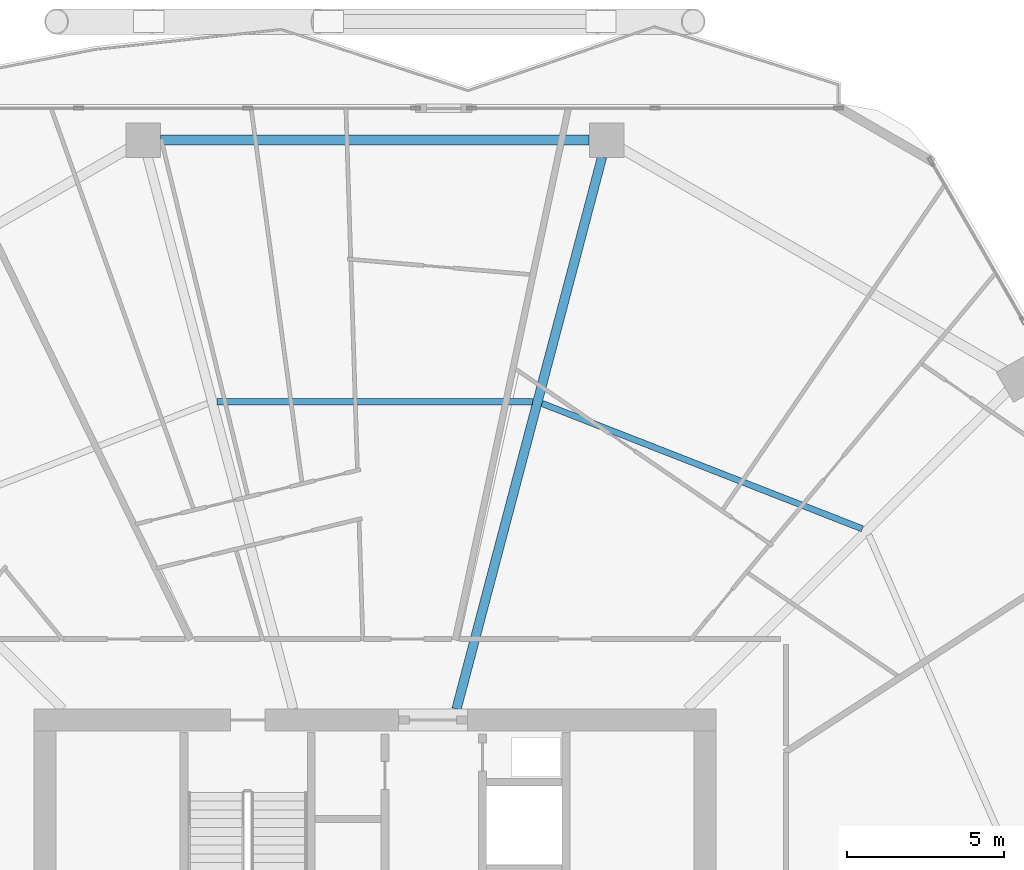
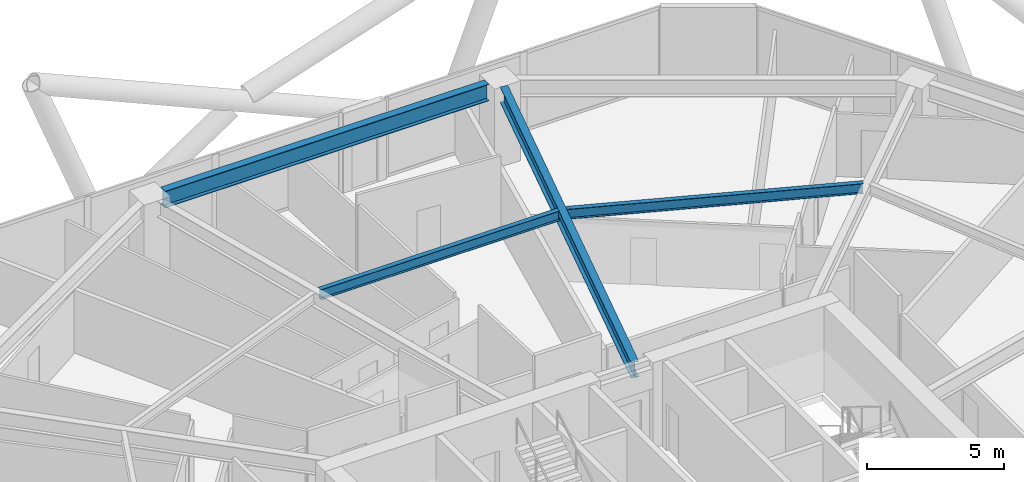
# One storey, part 21 of 35: 4 beams.
"""IFC4 building model written with IfcOpenShell, lengths in metres."""

from ifc_helpers import new_model, si_unit, direction, frame, origin, origin_2d, place, context, subcontext, project, spatial, i_section, extrude, material, material_profile, profile_set, type_object, element, save


model = new_model("IFC4")

# Units and contexts
model_context = context("Model", 3, precision=1e-05, world=origin(), true_north=direction((0.0, 1.0)))
body_context = subcontext(model_context, "Body", "Model", "MODEL_VIEW")
ifc_project = project(units=[si_unit("LENGTHUNIT", "METRE"), si_unit("AREAUNIT", "SQUARE_METRE"), si_unit("VOLUMEUNIT", "CUBIC_METRE"), si_unit("PLANEANGLEUNIT", "RADIAN"), si_unit("MASSUNIT", "GRAM", prefix="KILO")], contexts=[model_context])

# Site, building, storey
site_placement = place(None, origin())
site = spatial("IfcSite", under=ifc_project, at=site_placement, CompositionType="ELEMENT")
building_placement = place(site_placement, origin())
building = spatial("IfcBuilding", under=site, at=building_placement, Name="Zuhravey Tower", CompositionType="ELEMENT")
storey_placement = place(building_placement, frame((0.0, 0.0, 115.199951171875)))
storey = spatial("IfcBuildingStorey", under=building, at=storey_placement, Name="L28", CompositionType="ELEMENT", Elevation=115.199951171875)

# Beams
ifc_material = material(Name="Steel SM355", Category="steel")
ifc_material_profile_1 = material_profile(ifc_material, i_section(OverallWidth=0.320068359375, OverallDepth=0.75, WebThickness=0.013916015625, FlangeThickness=0.02490234375, at=origin_2d()), Name="H-750x320x14x25")
ifc_profile_set_1 = profile_set([ifc_material_profile_1], Name="Steel SM355")
beam_type_1 = type_object("IfcBeamType", Name="Perimeter Ring Beam H750x320", PredefinedType="BEAM", material=ifc_profile_set_1)
beam_1_placement = place(storey_placement, frame((42.81689453125, 59.948486328125, 3.175048828125), z_axis=(-1.0, 0.0, 0.0), x_axis=(0.0, -1.0, 0.0)))
element("IfcBeam", 1, at=beam_1_placement, inside=storey, type_object=beam_type_1, Name="L28 PB1 BM-L28-PB-03", PredefinedType="BEAM", context=body_context, shape_type="SweptSolid", body=[
    extrude(i_section(OverallWidth=0.320068359375, OverallDepth=0.75, WebThickness=0.013916015625, FlangeThickness=0.02490234375, at=origin_2d()), origin(), (0.0, 0.0, 1.0), 13.6337890625),
])
ifc_material_profile_2 = material_profile(ifc_material, i_section(OverallWidth=0.300048828125, OverallDepth=0.699951171875, WebThickness=0.012939453125, FlangeThickness=0.02392578125, at=origin_2d()), Name="H-700x300x13x24")
ifc_profile_set_2 = profile_set([ifc_material_profile_2], Name="Steel SM355")
beam_type_2 = type_object("IfcBeamType", Name="Radial Primary Girder H700x300", PredefinedType="BEAM", material=ifc_profile_set_2)
beam_2_placement = place(storey_placement, frame((38.59814453125, 41.85302734375, 3.199951171875), z_axis=(0.25498755891, 0.966944333869, 0.0), x_axis=(-0.966944333869, 0.25498755891, 0.0)))
element("IfcBeam", 2, at=beam_2_placement, inside=storey, type_object=beam_type_2, Name="L28 RG1 BM-L28-RAD-03", PredefinedType="BEAM", context=body_context, shape_type="SweptSolid", body=[
    extrude(i_section(OverallWidth=0.300048828125, OverallDepth=0.699951171875, WebThickness=0.012939453125, FlangeThickness=0.02392578125, at=origin_2d()), origin(), (0.0, 0.0, 1.0), 18.1611328125),
])
ifc_material_profile_3 = material_profile(ifc_material, i_section(OverallWidth=0.199951171875, OverallDepth=0.449951171875, WebThickness=0.009033203125, FlangeThickness=0.013916015625, at=origin_2d()), Name="H-450x200x9x14")
ifc_profile_set_3 = profile_set([ifc_material_profile_3], Name="Steel SM355")
beam_type_3 = type_object("IfcBeamType", Name="Secondary Floor Joist H450x200", PredefinedType="JOIST", material=ifc_profile_set_3)
beam_3_placement = place(storey_placement, frame((51.50537109375, 47.581298828125, 3.324951171875), z_axis=(-0.931216764731, 0.364465824302, 0.0), x_axis=(-0.364465824302, -0.931216764731, 0.0)))
element("IfcBeam", 3, at=beam_3_placement, inside=storey, type_object=beam_type_3, Name="L28 SJ1 BM-L28-SJ-02-1", PredefinedType="JOIST", context=body_context, shape_type="SweptSolid", body=[
    extrude(i_section(OverallWidth=0.199951171875, OverallDepth=0.449951171875, WebThickness=0.009033203125, FlangeThickness=0.013916015625, at=origin_2d()), origin(), (0.0, 0.0, 1.0), 10.939453125),
])
beam_4_placement = place(storey_placement, frame((41.02099609375, 51.62451171875, 3.324951171875), z_axis=(-1.0, 0.0, 0.0), x_axis=(0.0, -1.0, 0.0)))
element("IfcBeam", 4, at=beam_4_placement, inside=storey, type_object=beam_type_3, Name="L28 SJ1 BM-L28-SJ-03-1", PredefinedType="JOIST", context=body_context, shape_type="SweptSolid", body=[
    extrude(i_section(OverallWidth=0.199951171875, OverallDepth=0.449951171875, WebThickness=0.009033203125, FlangeThickness=0.013916015625, at=origin_2d()), origin(), (0.0, 0.0, 1.0), 10.0419921875),
])

save(model, "model.ifc")
